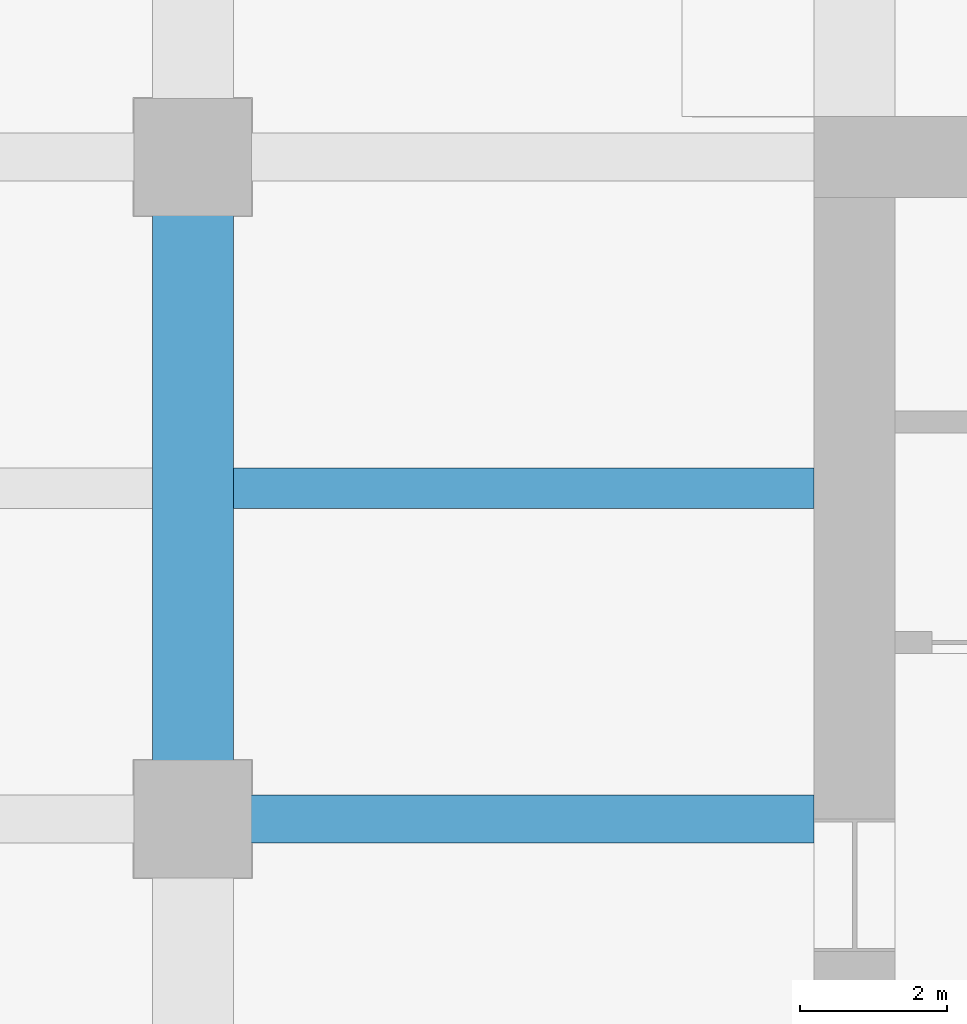
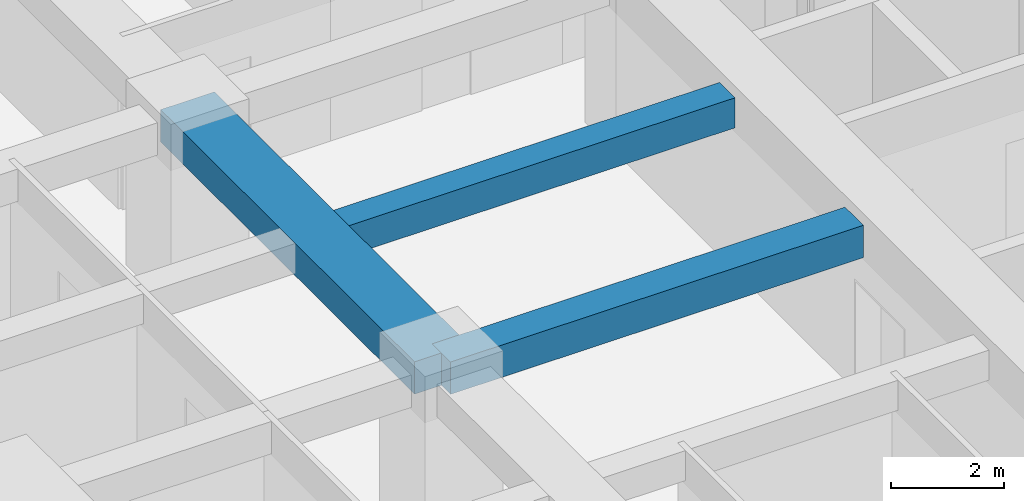
# One storey, part 12 of 34: 3 beams.
"""IFC4 building model written with IfcOpenShell, lengths in metres."""

from ifc_helpers import new_model, si_unit, direction, frame, origin, origin_2d, place, context, subcontext, project, spatial, rectangle, extrude, material, material_profile, profile_set, type_object, element, save


model = new_model("IFC4")

# Units and contexts
model_context = context("Model", 3, precision=1e-05, world=origin(), true_north=direction((0.0, 1.0)))
body_context = subcontext(model_context, "Body", "Model", "MODEL_VIEW")
ifc_project = project(units=[si_unit("LENGTHUNIT", "METRE"), si_unit("AREAUNIT", "SQUARE_METRE"), si_unit("VOLUMEUNIT", "CUBIC_METRE"), si_unit("PLANEANGLEUNIT", "RADIAN"), si_unit("MASSUNIT", "GRAM", prefix="KILO")], contexts=[model_context])

# Site, building, storey
site_placement = place(None, origin())
site = spatial("IfcSite", under=ifc_project, at=site_placement, CompositionType="ELEMENT")
building_placement = place(site_placement, origin())
building = spatial("IfcBuilding", under=site, at=building_placement, Name="Zorevar Civic Tower", CompositionType="ELEMENT")
storey_placement = place(building_placement, frame((0.0, 0.0, 170.199951171875)))
storey = spatial("IfcBuildingStorey", under=building, at=storey_placement, Name="L41", CompositionType="ELEMENT", Elevation=170.199951171875)

# Beams
ifc_material_1 = material(Name="Concrete C50/60", Category="concrete")
ifc_material_profile_1 = material_profile(ifc_material_1, rectangle(XDim=1.10009765625, YDim=0.699951171875, at=origin_2d()), Name="RC 1100x700")
ifc_profile_set_1 = profile_set([ifc_material_profile_1], Name="Concrete C50/60")
beam_type_1 = type_object("IfcBeamType", Name="Beam RC 1100x700", PredefinedType="BEAM", material=ifc_profile_set_1)
beam_1_placement = place(storey_placement, frame((9.0, 27.0, 3.400146484375), z_axis=(0.0, 1.0, 0.0), x_axis=(-1.0, 0.0, 0.0)))
element("IfcBeam", 1, at=beam_1_placement, inside=storey, type_object=beam_type_1, Name="Girder L42", PredefinedType="BEAM", context=body_context, shape_type="SweptSolid", body=[
    extrude(rectangle(XDim=1.10009765625, YDim=0.699951171875, at=origin_2d()), origin(), (0.0, 0.0, 1.0), 9.0),
])
ifc_material_2 = material(Name="Concrete C50/60", Category="concrete")
ifc_material_profile_2 = material_profile(ifc_material_2, rectangle(XDim=0.550048828125, YDim=0.64990234375, at=origin_2d()), Name="RC 550x650")
ifc_profile_set_2 = profile_set([ifc_material_profile_2], Name="Concrete C50/60")
beam_type_2 = type_object("IfcBeamType", Name="Beam RC 550x650", PredefinedType="BEAM", material=ifc_profile_set_2)
beam_2_placement = place(storey_placement, frame((9.550048828125, 31.5, 3.425048828125), z_axis=(1.0, 0.0, 0.0), x_axis=(0.0, 1.0, 0.0)))
element("IfcBeam", 2, at=beam_2_placement, inside=storey, type_object=beam_type_2, Name="Secondary beam L42", PredefinedType="BEAM", context=body_context, shape_type="SweptSolid", body=[
    extrude(rectangle(XDim=0.550048828125, YDim=0.64990234375, at=origin_2d()), origin(), (0.0, 0.0, 1.0), 7.89990234375),
])
ifc_material_3 = material(Name="Concrete C50/60", Category="concrete")
ifc_material_profile_3 = material_profile(ifc_material_3, rectangle(XDim=0.64990234375, YDim=0.699951171875, at=origin_2d()), Name="RC 650x700")
ifc_profile_set_3 = profile_set([ifc_material_profile_3], Name="Concrete C50/60")
beam_type_3 = type_object("IfcBeamType", Name="Beam RC 650x700", PredefinedType="BEAM", material=ifc_profile_set_3)
beam_3_placement = place(storey_placement, frame((9.0, 27.0, 3.400146484375), z_axis=(1.0, 0.0, 0.0), x_axis=(0.0, 1.0, 0.0)))
element("IfcBeam", 3, at=beam_3_placement, inside=storey, type_object=beam_type_3, Name="Girder L42", PredefinedType="BEAM", context=body_context, shape_type="SweptSolid", body=[
    extrude(rectangle(XDim=0.64990234375, YDim=0.699951171875, at=origin_2d()), origin(), (0.0, 0.0, 1.0), 8.449951171875),
])

save(model, "model.ifc")
